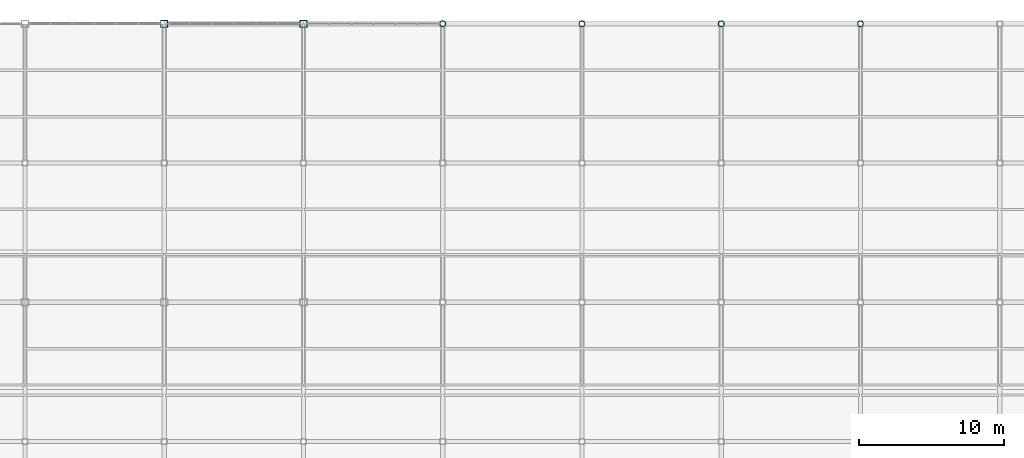
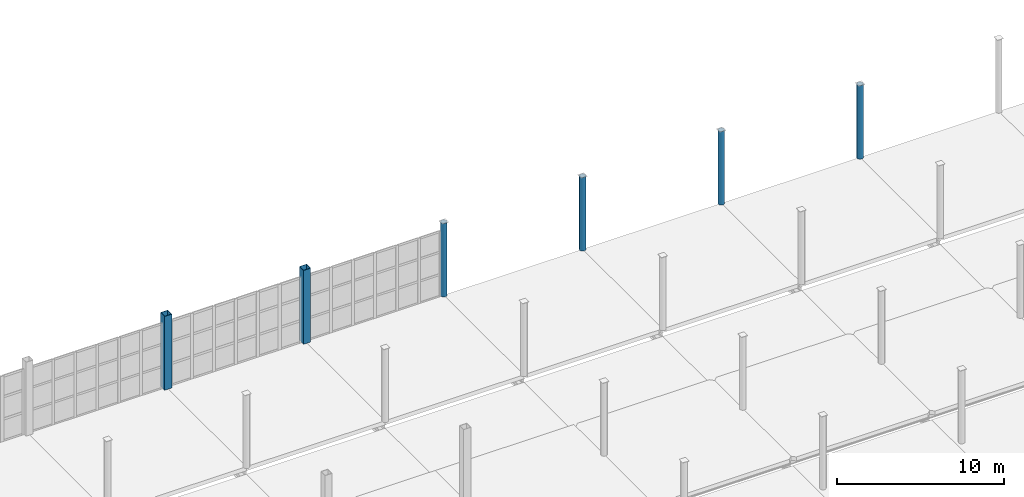
# One storey, part 24 of 85: 6 columns.
"""IFC4 building model written with IfcOpenShell, lengths in metres."""

from ifc_helpers import new_model, si_unit, direction, frame, origin, origin_2d, place, context, subcontext, project, spatial, hollow_rectangle, hollow_circle, extrude, material, material_profile, profile_set, type_object, element, save


model = new_model("IFC4")

# Units and contexts
model_context = context("Model", 3, precision=1e-05, world=origin(), true_north=direction((0.0, 1.0)))
body_context = subcontext(model_context, "Body", "Model", "MODEL_VIEW")
ifc_project = project(units=[si_unit("LENGTHUNIT", "METRE"), si_unit("AREAUNIT", "SQUARE_METRE"), si_unit("VOLUMEUNIT", "CUBIC_METRE"), si_unit("PLANEANGLEUNIT", "RADIAN"), si_unit("MASSUNIT", "GRAM", prefix="KILO")], contexts=[model_context])

# Site, building, storey
site_placement = place(None, origin())
site = spatial("IfcSite", under=ifc_project, at=site_placement, CompositionType="ELEMENT")
building_placement = place(site_placement, origin())
building = spatial("IfcBuilding", under=site, at=building_placement, Name="Zarnetskaya Central Station", CompositionType="ELEMENT")
storey_placement = place(building_placement, origin())
storey = spatial("IfcBuildingStorey", under=building, at=storey_placement, Name="L00", CompositionType="ELEMENT", Elevation=0.0)

# Columns
ifc_material = material(Name="Steel S355", Category="steel")
ifc_material_profile_1 = material_profile(ifc_material, hollow_circle(Radius=0.203125, WallThickness=0.02001953125, at=origin_2d()), Name="CHS 406.4x20")
ifc_profile_set_1 = profile_set([ifc_material_profile_1], Name="Steel S355")
column_type_1 = type_object("IfcColumnType", Name="COL-V1-PCAN", PredefinedType="COLUMN", material=ifc_profile_set_1)
for number, where, z_axis, x_axis, name in (
    (1, (134.39990234375, 124.800048828125, 0.0), (0.0, 0.0, 1.0), (1.0, 0.0, 0.0), "Column Q15 L00"),
    (2, (144.0, 124.800048828125, 0.0), (0.0, 0.0, 1.0), (1.0, 0.0, 0.0), "Column R15 L00"),
    (3, (153.60009765625, 124.800048828125, 0.0), (0.0, 0.0, 1.0), (1.0, 0.0, 0.0), "Column S15 L00"),
    (4, (163.199951171875, 124.800048828125, 0.0), (0.0, 0.0, 1.0), (1.0, 0.0, 0.0), "Column T15 L00"),
):
    element("IfcColumn", number, at=place(storey_placement, frame(where, z_axis=z_axis, x_axis=x_axis)), inside=storey, type_object=column_type_1, Name=name, PredefinedType="COLUMN", context=body_context, shape_type="SweptSolid", body=[
        extrude(hollow_circle(Radius=0.203125, WallThickness=0.02001953125, at=origin_2d()), origin(), (0.0, 0.0, 1.0), 5.387939453125),
    ])
ifc_material_profile_2 = material_profile(ifc_material, hollow_rectangle(XDim=0.5, YDim=0.5, WallThickness=0.02490234375, at=origin_2d()), Name="BOX 500x500x25")
ifc_profile_set_2 = profile_set([ifc_material_profile_2], Name="Steel S355")
column_type_2 = type_object("IfcColumnType", Name="COL-V1-SHED", PredefinedType="COLUMN", material=ifc_profile_set_2)
for number, where, z_axis, x_axis, name in (
    (5, (115.199951171875, 124.800048828125, 0.0), (0.0, 0.0, 1.0), (1.0, 0.0, 0.0), "Column N15 L00"),
    (6, (124.800048828125, 124.800048828125, 0.0), (0.0, 0.0, 1.0), (1.0, 0.0, 0.0), "Column P15 L00"),
):
    element("IfcColumn", number, at=place(storey_placement, frame(where, z_axis=z_axis, x_axis=x_axis)), inside=storey, type_object=column_type_2, Name=name, PredefinedType="COLUMN", context=body_context, shape_type="SweptSolid", body=[
        extrude(hollow_rectangle(XDim=0.5, YDim=0.5, WallThickness=0.02490234375, at=origin_2d()), origin(), (0.0, 0.0, 1.0), 5.39990234375),
    ])

save(model, "model.ifc")
